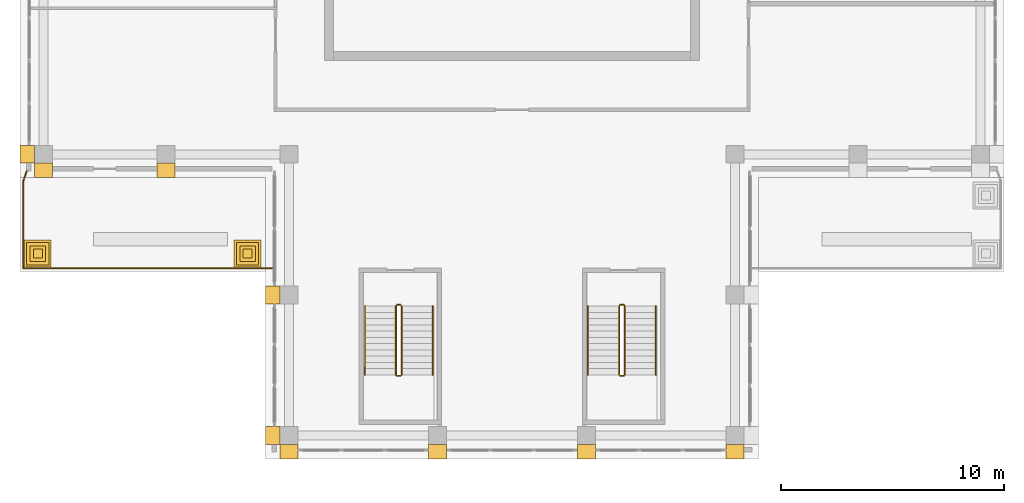
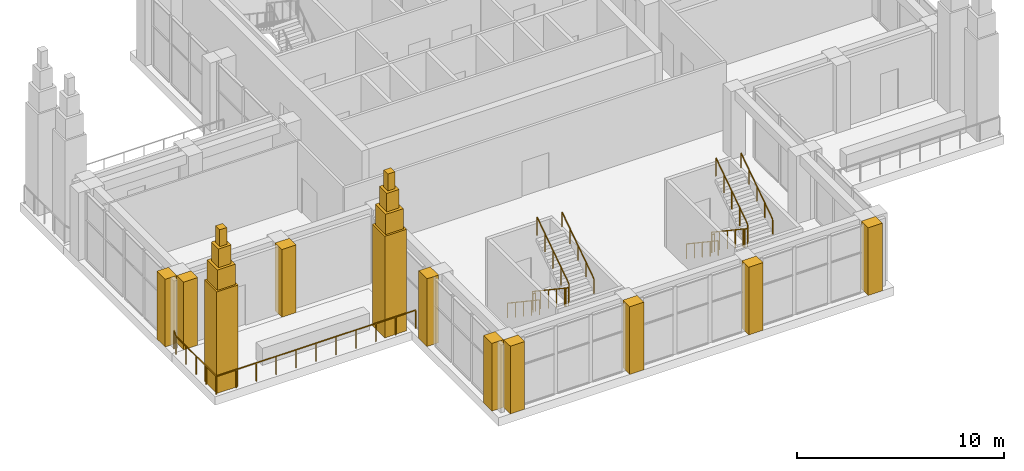
# One storey, part 11 of 14: 17 coverings, 13 railings.
"""IFC4 building model written with IfcOpenShell, lengths in metres."""

import ifcopenshell
import ifcopenshell.guid

model = None  # the IFC model being written
_history = None  # IfcOwnerHistory: only IFC2X3 demands one
_inside = {}  # id of a spatial element -> (the spatial element, [elements in it])
_under = {}  # id of a project, library or spatial element -> (it, [spatial elements below it])
_declared = {}  # id of a project -> (the project, [libraries it declares])
_typed = {}  # id of a type object -> (the type object, [elements of that type])
_made_of = {}  # id of a material, layer set ... -> (it, [elements and type objects made of it])


def new_model(schema):
    """Start an empty IFC model of exactly this schema.

    Asked for "IFC4X3", IfcOpenShell would pick the latest addendum, in which some entities
    have other attributes; the version numbers below select the first issue.
    IFC2X3 requires an IfcOwnerHistory on every rooted entity: one is made here for all.
    """
    global model, _history
    if schema == "IFC4X3":
        model = ifcopenshell.file(schema_version=(4, 3, 0, 0))
    else:
        model = ifcopenshell.file(schema=schema)
    _inside.clear()
    _under.clear()
    _declared.clear()
    _typed.clear()
    _made_of.clear()
    _history = None
    if model.schema == "IFC2X3":
        org = make("IfcOrganization", Name="unknown")
        user = make(
            "IfcPersonAndOrganization",
            ThePerson=make("IfcPerson", FamilyName="unknown"),
            TheOrganization=org,
        )
        app = make(
            "IfcApplication",
            ApplicationDeveloper=org,
            Version="unknown",
            ApplicationFullName="unknown",
            ApplicationIdentifier="unknown",
        )
        _history = make(
            "IfcOwnerHistory",
            OwningUser=user,
            OwningApplication=app,
            ChangeAction="ADDED",
            CreationDate=0,
        )
    return model


def make(cls, **values):
    """One entity of the class cls with the attributes given. An attribute that is None is left unset."""
    return model.create_entity(
        cls, **{name: value for name, value in values.items() if value is not None}
    )


def rooted(cls, **values):
    """An entity with a GlobalId (a new one), such as an element, a storey or a relation."""
    return make(cls, GlobalId=ifcopenshell.guid.new(), OwnerHistory=_history, **values)


def si_unit(unit_type, name, prefix=None):
    """IfcSIUnit, for example si_unit("LENGTHUNIT", "METRE", prefix="MILLI")."""
    return make("IfcSIUnit", UnitType=unit_type, Prefix=prefix, Name=name)


def assignment(units):
    """IfcUnitAssignment: the units of a project."""
    return None if units is None else make("IfcUnitAssignment", Units=units)


def point(xyz):
    """IfcCartesianPoint."""
    return None if xyz is None else make("IfcCartesianPoint", Coordinates=xyz)


def direction(xyz):
    """IfcDirection."""
    return None if xyz is None else make("IfcDirection", DirectionRatios=xyz)


def frame(location, z_axis=None, x_axis=None):
    """IfcAxis2Placement3D, a coordinate frame: its origin and axes. An axis left out is left unset."""
    return make(
        "IfcAxis2Placement3D",
        Location=point(location),
        Axis=direction(z_axis),
        RefDirection=direction(x_axis),
    )


def frame_2d(location, x_axis=None):
    """IfcAxis2Placement2D, a coordinate frame in the plane: its origin and x axis."""
    return make(
        "IfcAxis2Placement2D", Location=point(location), RefDirection=direction(x_axis)
    )


def origin():
    """The frame at (0, 0, 0) with its axes left unset."""
    return frame((0.0, 0.0, 0.0))


def origin_2d():
    """The frame at (0, 0) in the plane with its x axis left unset."""
    return frame_2d((0.0, 0.0))


def place(relative_to, where):
    """IfcLocalPlacement: puts the frame where relative to a parent placement (None: the world)."""
    return make(
        "IfcLocalPlacement", PlacementRelTo=relative_to, RelativePlacement=where
    )


def context(
    kind, dimensions, precision=None, world=None, true_north=None, identifier=None
):
    """IfcGeometricRepresentationContext, for example the 3D "Model" context."""
    return make(
        "IfcGeometricRepresentationContext",
        ContextIdentifier=identifier,
        ContextType=kind,
        CoordinateSpaceDimension=dimensions,
        Precision=precision,
        WorldCoordinateSystem=world,
        TrueNorth=true_north,
    )


def subcontext(parent, identifier, kind, view, scale=None):
    """IfcGeometricRepresentationSubContext, for example "Body" below "Model"."""
    return make(
        "IfcGeometricRepresentationSubContext",
        ContextIdentifier=identifier,
        ContextType=kind,
        ParentContext=parent,
        TargetScale=scale,
        TargetView=view,
    )


def project(units=None, contexts=None):
    """IfcProject with its units and contexts."""
    return rooted(
        "IfcProject",
        Name="project",
        RepresentationContexts=contexts,
        UnitsInContext=assignment(units),
    )


def spatial(cls, under=None, at=None, **own):
    """A site, building, storey or space (cls), placed at a placement, below another one or the project."""
    s = rooted(cls, ObjectPlacement=at, **own)
    if under is not None:
        _under.setdefault(under.id(), (under, []))[1].append(s)
    return s


def polyline(points):
    """IfcPolyline through the points."""
    return make("IfcPolyline", Points=[point(p) for p in points])


def profile(cls, at=None, kind="AREA", **sizes):
    """A parametric profile (cls). Its sizes go by their IFC names, for example OverallWidth=200.0."""
    return make(cls, ProfileType=kind, Position=at, **sizes)


def rectangle(**sizes):
    """IfcRectangleProfileDef."""
    return profile("IfcRectangleProfileDef", **sizes)


def outline(outer, holes=None, kind="AREA"):
    """IfcArbitraryClosedProfileDef: a profile drawn as a closed curve; with holes, ...WithVoids."""
    if holes is None:
        return make("IfcArbitraryClosedProfileDef", ProfileType=kind, OuterCurve=outer)
    return make(
        "IfcArbitraryProfileDefWithVoids",
        ProfileType=kind,
        OuterCurve=outer,
        InnerCurves=holes,
    )


def extrude(swept, where, along, depth):
    """IfcExtrudedAreaSolid: the profile swept, set in the frame where, extruded along a direction by depth."""
    return make(
        "IfcExtrudedAreaSolid",
        SweptArea=swept,
        Position=where,
        ExtrudedDirection=direction(along),
        Depth=depth,
    )


def shape(context_of_items, identifier, shape_type, items):
    """IfcShapeRepresentation: the items that make up one representation, for example the "Body"."""
    return make(
        "IfcShapeRepresentation",
        ContextOfItems=context_of_items,
        RepresentationIdentifier=identifier,
        RepresentationType=shape_type,
        Items=items,
    )


def material(Name=None, Category=None):
    """IfcMaterial."""
    return make("IfcMaterial", Name=Name, Category=Category)


def made_of(thing, what):
    """Note that an element or type object is made of a material, layer set ...; save() writes the relation."""
    if what is not None:
        _made_of.setdefault(what.id(), (what, []))[1].append(thing)
    return thing


def type_object(cls, material=None, **own):
    """A type object (cls), such as IfcWallType, which elements share."""
    return made_of(rooted(cls, **own), material)


def element(
    cls,
    number,
    at=None,
    inside=None,
    cuts=None,
    type_object=None,
    material=None,
    context=None,
    identifier="Body",
    shape_type=None,
    held_by="IfcProductDefinitionShape",
    body=None,
    shapes=None,
    **own,
):
    """One element of the class cls, such as IfcWall. Its Tag is "e" and its number.

    at: its placement. inside: the storey or other place that contains it. cuts: it is an
    opening in that element (IfcRelVoidsElement). A single representation is given by context,
    identifier, shape_type and body (its items); several are given by shapes. held_by: the class
    of the entity that holds the representations. save() writes the other relations.
    """
    e = rooted(cls, Tag="e%d" % number, ObjectPlacement=at, **own)
    if body is not None:
        shapes = [shape(context, identifier, shape_type, body)]
    if shapes is not None:
        e.Representation = make(held_by, Representations=shapes)
    if inside is not None:
        _inside.setdefault(inside.id(), (inside, []))[1].append(e)
    if cuts is not None:
        rooted(
            "IfcRelVoidsElement", RelatingBuildingElement=cuts, RelatedOpeningElement=e
        )
    if type_object is not None:
        _typed.setdefault(type_object.id(), (type_object, []))[1].append(e)
    return made_of(e, material)


def aggregate(whole, parts):
    """IfcRelAggregates: a whole, such as a stair, and the parts it consists of."""
    return rooted("IfcRelAggregates", RelatingObject=whole, RelatedObjects=parts)


def save(model, path):
    """Write the relations noted so far, then the file.

    IfcRelAggregates (storeys below a building ...), IfcRelContainedInSpatialStructure (elements
    in a storey), IfcRelDefinesByType, IfcRelAssociatesMaterial and IfcRelDeclares: one each for
    every whole, place, type object, material and project.
    """
    for whole, parts in _under.values():
        aggregate(whole, parts)
    for where, things in _inside.values():
        rooted(
            "IfcRelContainedInSpatialStructure",
            RelatedElements=things,
            RelatingStructure=where,
        )
    for kind, things in _typed.values():
        rooted("IfcRelDefinesByType", RelatedObjects=things, RelatingType=kind)
    for what, things in _made_of.values():
        rooted("IfcRelAssociatesMaterial", RelatedObjects=things, RelatingMaterial=what)
    for by, libraries in _declared.values():
        rooted("IfcRelDeclares", RelatingContext=by, RelatedDefinitions=libraries)
    model.write(path)


model = new_model("IFC4")

# Units and contexts
model_context = context("Model", 3, precision=1e-05, world=origin(), true_north=direction((0.0, 1.0)))
body_context = subcontext(model_context, "Body", "Model", "MODEL_VIEW")
ifc_project = project(units=[si_unit("LENGTHUNIT", "METRE"), si_unit("AREAUNIT", "SQUARE_METRE"), si_unit("VOLUMEUNIT", "CUBIC_METRE"), si_unit("PLANEANGLEUNIT", "RADIAN"), si_unit("MASSUNIT", "GRAM", prefix="KILO")], contexts=[model_context])

# Site, building, storey
site_placement = place(None, origin())
site = spatial("IfcSite", under=ifc_project, at=site_placement, CompositionType="ELEMENT")
building_placement = place(site_placement, origin())
building = spatial("IfcBuilding", under=site, at=building_placement, Name="Vermilion Ogive Tower", CompositionType="ELEMENT")
storey_placement = place(building_placement, frame((0.0, 0.0, 284.85009765625)))
storey = spatial("IfcBuildingStorey", under=building, at=storey_placement, Name="L74", CompositionType="ELEMENT", Elevation=284.85009765625)

# Railings
ifc_material_1 = material(Name="Steel S355 painted", Category="steel")
railing_type_1 = type_object("IfcRailingType", Name="Stair guard 1100", PredefinedType="GUARDRAIL", material=ifc_material_1)
railing_1_placement = place(storey_placement, frame((4.800048828125, -6.800048828125, 0.1875)))
element("IfcRailing", 1, at=railing_1_placement, inside=storey, type_object=railing_type_1, Name="L74 ST6 stair guard 1", PredefinedType="GUARDRAIL", context=body_context, shape_type="SweptSolid", body=[
    extrude(rectangle(XDim=0.048095703125, YDim=0.048095703125, at=origin_2d()), frame((0.0, 0.0, 1.076171875), z_axis=(0.0, -0.830893310487, 0.556431762742), x_axis=(1.0, 0.0, 0.0)), (0.0, 0.0, 1.0), 3.70654296875),
    extrude(rectangle(XDim=0.048095703125, YDim=0.048095703125, at=origin_2d()), frame((0.0, -3.079833984375, 3.138671875), z_axis=(0.707106781187, -0.707106781187, 0.0), x_axis=(0.707106781187, 0.707106781187, 0.0)), (0.0, 0.0, 1.0), 0.07080078125),
    extrude(rectangle(XDim=0.048095703125, YDim=0.048095703125, at=origin_2d()), frame((0.050048828125, -3.1298828125, 3.138671875), z_axis=(1.0, 0.0, 0.0), x_axis=(0.0, 1.0, 0.0)), (0.0, 0.0, 1.0), 0.14990234375),
    extrude(rectangle(XDim=0.0419921875, YDim=0.0419921875, at=origin_2d()), origin(), (0.0, 0.0, 1.0), 1.052001953125),
    extrude(rectangle(XDim=0.0419921875, YDim=0.0419921875, at=origin_2d()), frame((0.0, -0.77001953125, 0.515625)), (0.0, 0.0, 1.0), 1.052001953125),
    extrude(rectangle(XDim=0.0419921875, YDim=0.0419921875, at=origin_2d()), frame((0.0, -1.5400390625, 1.03125)), (0.0, 0.0, 1.0), 1.052001953125),
    extrude(rectangle(XDim=0.0419921875, YDim=0.0419921875, at=origin_2d()), frame((0.0, -2.309814453125, 1.546875)), (0.0, 0.0, 1.0), 1.052001953125),
    extrude(rectangle(XDim=0.0419921875, YDim=0.0419921875, at=origin_2d()), frame((0.0, -3.079833984375, 2.0625)), (0.0, 0.0, 1.0), 1.052001953125),
    extrude(rectangle(XDim=0.0419921875, YDim=0.0419921875, at=origin_2d()), frame((0.050048828125, -3.1298828125, 2.0625)), (0.0, 0.0, 1.0), 1.052001953125),
    extrude(rectangle(XDim=0.0419921875, YDim=0.0419921875, at=origin_2d()), frame((0.199951171875, -3.1298828125, 2.0625)), (0.0, 0.0, 1.0), 1.052001953125),
])
railing_2_placement = place(storey_placement, frame((5.050048828125, -9.8798828125, 2.4375)))
element("IfcRailing", 2, at=railing_2_placement, inside=storey, type_object=railing_type_1, Name="L74 ST6 stair guard 3", PredefinedType="GUARDRAIL", context=body_context, shape_type="SweptSolid", body=[
    extrude(rectangle(XDim=0.048095703125, YDim=0.048095703125, at=origin_2d()), frame((0.0, 0.0, 1.076171875), z_axis=(0.0, 0.830893310487, 0.556431762742), x_axis=(-1.0, 0.0, 0.0)), (0.0, 0.0, 1.0), 3.70654296875),
    extrude(rectangle(XDim=0.0419921875, YDim=0.0419921875, at=origin_2d()), origin(), (0.0, 0.0, 1.0), 1.052001953125),
    extrude(rectangle(XDim=0.0419921875, YDim=0.0419921875, at=origin_2d()), frame((0.0, 0.77001953125, 0.515625)), (0.0, 0.0, 1.0), 1.052001953125),
    extrude(rectangle(XDim=0.0419921875, YDim=0.0419921875, at=origin_2d()), frame((0.0, 1.5400390625, 1.03125)), (0.0, 0.0, 1.0), 1.052001953125),
    extrude(rectangle(XDim=0.0419921875, YDim=0.0419921875, at=origin_2d()), frame((0.0, 2.309814453125, 1.546875)), (0.0, 0.0, 1.0), 1.052001953125),
    extrude(rectangle(XDim=0.0419921875, YDim=0.0419921875, at=origin_2d()), frame((0.0, 3.079833984375, 2.0625)), (0.0, 0.0, 1.0), 1.052001953125),
])
railing_3_placement = place(storey_placement, frame((4.85009765625, -6.75, 0.0)))
element("IfcRailing", 3, at=railing_3_placement, inside=storey, type_object=railing_type_1, Name="L74 ST6 stair guard 4", PredefinedType="GUARDRAIL", context=body_context, shape_type="SweptSolid", body=[
    extrude(rectangle(XDim=0.048095703125, YDim=0.048095703125, at=origin_2d()), frame((0.0, 0.0, 1.076171875), z_axis=(1.0, 0.0, 0.0), x_axis=(0.0, 1.0, 0.0)), (0.0, 0.0, 1.0), 0.14990234375),
    extrude(rectangle(XDim=0.0419921875, YDim=0.0419921875, at=origin_2d()), origin(), (0.0, 0.0, 1.0), 1.052001953125),
    extrude(rectangle(XDim=0.0419921875, YDim=0.0419921875, at=origin_2d()), frame((0.14990234375, 0.0, 0.0)), (0.0, 0.0, 1.0), 1.052001953125),
])
railing_4_placement = place(storey_placement, frame((-5.199951171875, -6.800048828125, 0.1875)))
element("IfcRailing", 4, at=railing_4_placement, inside=storey, type_object=railing_type_1, Name="L74 ST7 stair guard 1", PredefinedType="GUARDRAIL", context=body_context, shape_type="SweptSolid", body=[
    extrude(rectangle(XDim=0.048095703125, YDim=0.048095703125, at=origin_2d()), frame((0.0, 0.0, 1.076171875), z_axis=(0.0, -0.830893310487, 0.556431762742), x_axis=(1.0, 0.0, 0.0)), (0.0, 0.0, 1.0), 3.70654296875),
    extrude(rectangle(XDim=0.048095703125, YDim=0.048095703125, at=origin_2d()), frame((0.0, -3.079833984375, 3.138671875), z_axis=(0.707106781187, -0.707106781187, 0.0), x_axis=(0.707106781187, 0.707106781187, 0.0)), (0.0, 0.0, 1.0), 0.07080078125),
    extrude(rectangle(XDim=0.048095703125, YDim=0.048095703125, at=origin_2d()), frame((0.050048828125, -3.1298828125, 3.138671875), z_axis=(1.0, 0.0, 0.0), x_axis=(0.0, 1.0, 0.0)), (0.0, 0.0, 1.0), 0.14990234375),
    extrude(rectangle(XDim=0.0419921875, YDim=0.0419921875, at=origin_2d()), origin(), (0.0, 0.0, 1.0), 1.052001953125),
    extrude(rectangle(XDim=0.0419921875, YDim=0.0419921875, at=origin_2d()), frame((0.0, -0.77001953125, 0.515625)), (0.0, 0.0, 1.0), 1.052001953125),
    extrude(rectangle(XDim=0.0419921875, YDim=0.0419921875, at=origin_2d()), frame((0.0, -1.5400390625, 1.03125)), (0.0, 0.0, 1.0), 1.052001953125),
    extrude(rectangle(XDim=0.0419921875, YDim=0.0419921875, at=origin_2d()), frame((0.0, -2.309814453125, 1.546875)), (0.0, 0.0, 1.0), 1.052001953125),
    extrude(rectangle(XDim=0.0419921875, YDim=0.0419921875, at=origin_2d()), frame((0.0, -3.079833984375, 2.0625)), (0.0, 0.0, 1.0), 1.052001953125),
    extrude(rectangle(XDim=0.0419921875, YDim=0.0419921875, at=origin_2d()), frame((0.050048828125, -3.1298828125, 2.0625)), (0.0, 0.0, 1.0), 1.052001953125),
    extrude(rectangle(XDim=0.0419921875, YDim=0.0419921875, at=origin_2d()), frame((0.199951171875, -3.1298828125, 2.0625)), (0.0, 0.0, 1.0), 1.052001953125),
])
railing_5_placement = place(storey_placement, frame((-4.949951171875, -9.8798828125, 2.4375)))
element("IfcRailing", 5, at=railing_5_placement, inside=storey, type_object=railing_type_1, Name="L74 ST7 stair guard 3", PredefinedType="GUARDRAIL", context=body_context, shape_type="SweptSolid", body=[
    extrude(rectangle(XDim=0.048095703125, YDim=0.048095703125, at=origin_2d()), frame((0.0, 0.0, 1.076171875), z_axis=(0.0, 0.830893310487, 0.556431762742), x_axis=(-1.0, 0.0, 0.0)), (0.0, 0.0, 1.0), 3.70654296875),
    extrude(rectangle(XDim=0.0419921875, YDim=0.0419921875, at=origin_2d()), origin(), (0.0, 0.0, 1.0), 1.052001953125),
    extrude(rectangle(XDim=0.0419921875, YDim=0.0419921875, at=origin_2d()), frame((0.0, 0.77001953125, 0.515625)), (0.0, 0.0, 1.0), 1.052001953125),
    extrude(rectangle(XDim=0.0419921875, YDim=0.0419921875, at=origin_2d()), frame((0.0, 1.5400390625, 1.03125)), (0.0, 0.0, 1.0), 1.052001953125),
    extrude(rectangle(XDim=0.0419921875, YDim=0.0419921875, at=origin_2d()), frame((0.0, 2.309814453125, 1.546875)), (0.0, 0.0, 1.0), 1.052001953125),
    extrude(rectangle(XDim=0.0419921875, YDim=0.0419921875, at=origin_2d()), frame((0.0, 3.079833984375, 2.0625)), (0.0, 0.0, 1.0), 1.052001953125),
])
railing_6_placement = place(storey_placement, frame((-5.14990234375, -6.75, 0.0)))
element("IfcRailing", 6, at=railing_6_placement, inside=storey, type_object=railing_type_1, Name="L74 ST7 stair guard 4", PredefinedType="GUARDRAIL", context=body_context, shape_type="SweptSolid", body=[
    extrude(rectangle(XDim=0.048095703125, YDim=0.048095703125, at=origin_2d()), frame((0.0, 0.0, 1.076171875), z_axis=(1.0, 0.0, 0.0), x_axis=(0.0, 1.0, 0.0)), (0.0, 0.0, 1.0), 0.14990234375),
    extrude(rectangle(XDim=0.0419921875, YDim=0.0419921875, at=origin_2d()), origin(), (0.0, 0.0, 1.0), 1.052001953125),
    extrude(rectangle(XDim=0.0419921875, YDim=0.0419921875, at=origin_2d()), frame((0.14990234375, 0.0, 0.0)), (0.0, 0.0, 1.0), 1.052001953125),
])
ifc_material_2 = material(Name="Stainless steel", Category="steel")
railing_type_2 = type_object("IfcRailingType", Name="Stair handrail 900", PredefinedType="HANDRAIL", material=ifc_material_2)
railing_7_placement = place(storey_placement, frame((3.39990234375, -6.800048828125, 0.1875)))
element("IfcRailing", 7, at=railing_7_placement, inside=storey, type_object=railing_type_2, Name="L74 ST6 stair handrail 1", PredefinedType="HANDRAIL", context=body_context, shape_type="SweptSolid", body=[
    extrude(rectangle(XDim=0.048095703125, YDim=0.048095703125, at=origin_2d()), frame((0.0, 0.0, 0.8759765625), z_axis=(0.0, -0.830893310487, 0.556431762742), x_axis=(1.0, 0.0, 0.0)), (0.0, 0.0, 1.0), 3.70654296875),
    extrude(rectangle(XDim=0.0419921875, YDim=0.0419921875, at=origin_2d()), origin(), (0.0, 0.0, 1.0), 0.851806640625),
    extrude(rectangle(XDim=0.0419921875, YDim=0.0419921875, at=origin_2d()), frame((0.0, -0.77001953125, 0.515625)), (0.0, 0.0, 1.0), 0.851806640625),
    extrude(rectangle(XDim=0.0419921875, YDim=0.0419921875, at=origin_2d()), frame((0.0, -1.5400390625, 1.03125)), (0.0, 0.0, 1.0), 0.851806640625),
    extrude(rectangle(XDim=0.0419921875, YDim=0.0419921875, at=origin_2d()), frame((0.0, -2.309814453125, 1.546875)), (0.0, 0.0, 1.0), 0.851806640625),
    extrude(rectangle(XDim=0.0419921875, YDim=0.0419921875, at=origin_2d()), frame((0.0, -3.079833984375, 2.0625)), (0.0, 0.0, 1.0), 0.851806640625),
])
railing_8_placement = place(storey_placement, frame((6.449951171875, -9.8798828125, 2.4375)))
element("IfcRailing", 8, at=railing_8_placement, inside=storey, type_object=railing_type_2, Name="L74 ST6 stair handrail 2", PredefinedType="HANDRAIL", context=body_context, shape_type="SweptSolid", body=[
    extrude(rectangle(XDim=0.048095703125, YDim=0.048095703125, at=origin_2d()), frame((0.0, 0.0, 0.8759765625), z_axis=(0.0, 0.830893310487, 0.556431762742), x_axis=(-1.0, 0.0, 0.0)), (0.0, 0.0, 1.0), 3.70654296875),
    extrude(rectangle(XDim=0.0419921875, YDim=0.0419921875, at=origin_2d()), origin(), (0.0, 0.0, 1.0), 0.851806640625),
    extrude(rectangle(XDim=0.0419921875, YDim=0.0419921875, at=origin_2d()), frame((0.0, 0.77001953125, 0.515625)), (0.0, 0.0, 1.0), 0.851806640625),
    extrude(rectangle(XDim=0.0419921875, YDim=0.0419921875, at=origin_2d()), frame((0.0, 1.5400390625, 1.03125)), (0.0, 0.0, 1.0), 0.851806640625),
    extrude(rectangle(XDim=0.0419921875, YDim=0.0419921875, at=origin_2d()), frame((0.0, 2.309814453125, 1.546875)), (0.0, 0.0, 1.0), 0.851806640625),
    extrude(rectangle(XDim=0.0419921875, YDim=0.0419921875, at=origin_2d()), frame((0.0, 3.079833984375, 2.0625)), (0.0, 0.0, 1.0), 0.851806640625),
])
railing_9_placement = place(storey_placement, frame((-6.60009765625, -6.800048828125, 0.1875)))
element("IfcRailing", 9, at=railing_9_placement, inside=storey, type_object=railing_type_2, Name="L74 ST7 stair handrail 1", PredefinedType="HANDRAIL", context=body_context, shape_type="SweptSolid", body=[
    extrude(rectangle(XDim=0.048095703125, YDim=0.048095703125, at=origin_2d()), frame((0.0, 0.0, 0.8759765625), z_axis=(0.0, -0.830893310487, 0.556431762742), x_axis=(1.0, 0.0, 0.0)), (0.0, 0.0, 1.0), 3.70654296875),
    extrude(rectangle(XDim=0.0419921875, YDim=0.0419921875, at=origin_2d()), origin(), (0.0, 0.0, 1.0), 0.851806640625),
    extrude(rectangle(XDim=0.0419921875, YDim=0.0419921875, at=origin_2d()), frame((0.0, -0.77001953125, 0.515625)), (0.0, 0.0, 1.0), 0.851806640625),
    extrude(rectangle(XDim=0.0419921875, YDim=0.0419921875, at=origin_2d()), frame((0.0, -1.5400390625, 1.03125)), (0.0, 0.0, 1.0), 0.851806640625),
    extrude(rectangle(XDim=0.0419921875, YDim=0.0419921875, at=origin_2d()), frame((0.0, -2.309814453125, 1.546875)), (0.0, 0.0, 1.0), 0.851806640625),
    extrude(rectangle(XDim=0.0419921875, YDim=0.0419921875, at=origin_2d()), frame((0.0, -3.079833984375, 2.0625)), (0.0, 0.0, 1.0), 0.851806640625),
])
railing_10_placement = place(storey_placement, frame((-3.550048828125, -9.8798828125, 2.4375)))
element("IfcRailing", 10, at=railing_10_placement, inside=storey, type_object=railing_type_2, Name="L74 ST7 stair handrail 2", PredefinedType="HANDRAIL", context=body_context, shape_type="SweptSolid", body=[
    extrude(rectangle(XDim=0.048095703125, YDim=0.048095703125, at=origin_2d()), frame((0.0, 0.0, 0.8759765625), z_axis=(0.0, 0.830893310487, 0.556431762742), x_axis=(-1.0, 0.0, 0.0)), (0.0, 0.0, 1.0), 3.70654296875),
    extrude(rectangle(XDim=0.0419921875, YDim=0.0419921875, at=origin_2d()), origin(), (0.0, 0.0, 1.0), 0.851806640625),
    extrude(rectangle(XDim=0.0419921875, YDim=0.0419921875, at=origin_2d()), frame((0.0, 0.77001953125, 0.515625)), (0.0, 0.0, 1.0), 0.851806640625),
    extrude(rectangle(XDim=0.0419921875, YDim=0.0419921875, at=origin_2d()), frame((0.0, 1.5400390625, 1.03125)), (0.0, 0.0, 1.0), 0.851806640625),
    extrude(rectangle(XDim=0.0419921875, YDim=0.0419921875, at=origin_2d()), frame((0.0, 2.309814453125, 1.546875)), (0.0, 0.0, 1.0), 0.851806640625),
    extrude(rectangle(XDim=0.0419921875, YDim=0.0419921875, at=origin_2d()), frame((0.0, 3.079833984375, 2.0625)), (0.0, 0.0, 1.0), 0.851806640625),
])

# Coverings
ifc_material_3 = material(Name="Stone cladding", Category="masonry")
covering_type_1 = type_object("IfcCoveringType", Name="Stone pier", PredefinedType="CLADDING", material=ifc_material_3)
covering_1_placement = place(storey_placement, origin())
element("IfcCovering", 11, at=covering_1_placement, inside=storey, type_object=covering_type_1, Name="Stone pier P+0033-126", PredefinedType="CLADDING", context=body_context, shape_type="SweptSolid", body=[
    extrude(outline(polyline([(3.7333984375, -13.0), (3.7333984375, -13.64990234375), (2.933349609375, -13.64990234375), (2.933349609375, -13.0), (2.933349609375, -13.0), (3.7333984375, -13.0)])), origin(), (0.0, 0.0, 1.0), 4.0),
])
covering_2_placement = place(storey_placement, origin())
element("IfcCovering", 12, at=covering_2_placement, inside=storey, type_object=covering_type_1, Name="Stone pier P+0100-126S", PredefinedType="CLADDING", context=body_context, shape_type="SweptSolid", body=[
    extrude(outline(polyline([(10.39990234375, -13.64990234375), (9.60009765625, -13.64990234375), (9.60009765625, -13.0), (10.39990234375, -13.0), (10.39990234375, -13.64990234375)])), origin(), (0.0, 0.0, 1.0), 4.0),
])
covering_3_placement = place(storey_placement, origin())
element("IfcCovering", 13, at=covering_3_placement, inside=storey, type_object=covering_type_1, Name="Stone pier P-0033-126", PredefinedType="CLADDING", context=body_context, shape_type="SweptSolid", body=[
    extrude(outline(polyline([(-2.933349609375, -13.0), (-2.933349609375, -13.64990234375), (-3.7333984375, -13.64990234375), (-3.7333984375, -13.0), (-2.933349609375, -13.0), (-2.933349609375, -13.0)])), origin(), (0.0, 0.0, 1.0), 4.0),
])
covering_4_placement = place(storey_placement, origin())
element("IfcCovering", 14, at=covering_4_placement, inside=storey, type_object=covering_type_1, Name="Stone pier P-0100-063", PredefinedType="CLADDING", context=body_context, shape_type="SweptSolid", body=[
    extrude(outline(polyline([(-11.050048828125, -6.699951171875), (-11.050048828125, -5.89990234375), (-10.39990234375, -5.89990234375), (-10.39990234375, -6.699951171875), (-11.050048828125, -6.699951171875)])), origin(), (0.0, 0.0, 1.0), 4.0),
])
covering_5_placement = place(storey_placement, origin())
element("IfcCovering", 15, at=covering_5_placement, inside=storey, type_object=covering_type_1, Name="Stone pier P-0100-126S", PredefinedType="CLADDING", context=body_context, shape_type="SweptSolid", body=[
    extrude(outline(polyline([(-9.60009765625, -13.64990234375), (-10.39990234375, -13.64990234375), (-10.39990234375, -13.0), (-9.60009765625, -13.0), (-9.60009765625, -13.64990234375)])), origin(), (0.0, 0.0, 1.0), 4.0),
])
covering_6_placement = place(storey_placement, origin())
element("IfcCovering", 16, at=covering_6_placement, inside=storey, type_object=covering_type_1, Name="Stone pier P-0100-126X8", PredefinedType="CLADDING", context=body_context, shape_type="SweptSolid", body=[
    extrude(outline(polyline([(-11.050048828125, -12.199951171875), (-10.39990234375, -12.199951171875), (-10.39990234375, -13.0), (-11.050048828125, -13.0), (-11.050048828125, -12.199951171875)])), origin(), (0.0, 0.0, 1.0), 4.0),
])
covering_7_placement = place(storey_placement, origin())
element("IfcCovering", 17, at=covering_7_placement, inside=storey, type_object=covering_type_1, Name="Stone pier P-0155+000", PredefinedType="CLADDING", context=body_context, shape_type="SweptSolid", body=[
    extrude(outline(polyline([(-15.10009765625, -1.050048828125), (-15.89990234375, -1.050048828125), (-15.89990234375, -0.39990234375), (-15.10009765625, -0.39990234375), (-15.10009765625, -1.050048828125)])), origin(), (0.0, 0.0, 1.0), 4.0),
])
covering_8_placement = place(storey_placement, origin())
element("IfcCovering", 18, at=covering_8_placement, inside=storey, type_object=covering_type_1, Name="Stone pier P-0210+000W", PredefinedType="CLADDING", context=body_context, shape_type="SweptSolid", body=[
    extrude(outline(polyline([(-21.39990234375, -0.39990234375), (-21.39990234375, -0.39990234375), (-22.050048828125, -0.39990234375), (-22.050048828125, 0.39990234375), (-21.39990234375, 0.39990234375), (-21.39990234375, 0.39990234375), (-21.39990234375, -0.39990234375)])), origin(), (0.0, 0.0, 1.0), 4.0),
])
covering_9_placement = place(storey_placement, origin())
element("IfcCovering", 19, at=covering_9_placement, inside=storey, type_object=covering_type_1, Name="Stone pier P-0210+000X7", PredefinedType="CLADDING", context=body_context, shape_type="SweptSolid", body=[
    extrude(outline(polyline([(-21.39990234375, -1.050048828125), (-21.39990234375, -0.39990234375), (-21.39990234375, -0.39990234375), (-20.60009765625, -0.39990234375), (-20.60009765625, -1.050048828125), (-21.39990234375, -1.050048828125)])), origin(), (0.0, 0.0, 1.0), 4.0),
])
ifc_material_4 = material(Name="Stone cladding", Category="masonry")
covering_type_2 = type_object("IfcCoveringType", Name="Stone pinnacle", PredefinedType="CLADDING", material=ifc_material_4)
covering_10_placement = place(storey_placement, origin())
element("IfcCovering", 20, at=covering_10_placement, inside=storey, type_object=covering_type_2, Name="Stone pinnacle L741111A", PredefinedType="CLADDING", context=body_context, shape_type="SweptSolid", body=[
    extrude(outline(polyline([(-21.85009765625, -5.050048828125), (-20.64990234375, -5.050048828125), (-20.64990234375, -3.85009765625), (-21.85009765625, -3.85009765625), (-21.85009765625, -5.050048828125)])), origin(), (0.0, 0.0, 1.0), 6.0),
])
covering_11_placement = place(storey_placement, frame((0.0, 0.0, 6.0)))
element("IfcCovering", 21, at=covering_11_placement, inside=storey, type_object=covering_type_2, Name="Stone pinnacle L741111B", PredefinedType="CLADDING", context=body_context, shape_type="SweptSolid", body=[
    extrude(outline(polyline([(-21.75, -4.949951171875), (-20.75, -4.949951171875), (-20.75, -3.949951171875), (-21.75, -3.949951171875), (-21.75, -4.949951171875)])), origin(), (0.0, 0.0, 1.0), 1.199951171875),
])
covering_12_placement = place(storey_placement, frame((0.0, 0.0, 7.199951171875)))
element("IfcCovering", 22, at=covering_12_placement, inside=storey, type_object=covering_type_2, Name="Stone pinnacle L741111C", PredefinedType="CLADDING", context=body_context, shape_type="SweptSolid", body=[
    extrude(outline(polyline([(-21.60009765625, -4.800048828125), (-20.89990234375, -4.800048828125), (-20.89990234375, -4.10009765625), (-21.60009765625, -4.10009765625), (-21.60009765625, -4.800048828125)])), origin(), (0.0, 0.0, 1.0), 1.099853515625),
])
covering_13_placement = place(storey_placement, frame((0.0, 0.0, 8.2998046875)))
element("IfcCovering", 23, at=covering_13_placement, inside=storey, type_object=covering_type_2, Name="Stone pinnacle L741111D", PredefinedType="CLADDING", context=body_context, shape_type="SweptSolid", body=[
    extrude(outline(polyline([(-21.449951171875, -4.64990234375), (-21.050048828125, -4.64990234375), (-21.050048828125, -4.25), (-21.449951171875, -4.25), (-21.449951171875, -4.64990234375)])), origin(), (0.0, 0.0, 1.0), 1.0),
])
covering_14_placement = place(storey_placement, origin())
element("IfcCovering", 24, at=covering_14_placement, inside=storey, type_object=covering_type_2, Name="Stone pinnacle L741141A", PredefinedType="CLADDING", context=body_context, shape_type="SweptSolid", body=[
    extrude(outline(polyline([(-12.449951171875, -5.050048828125), (-11.25, -5.050048828125), (-11.25, -3.85009765625), (-12.449951171875, -3.85009765625), (-12.449951171875, -5.050048828125)])), origin(), (0.0, 0.0, 1.0), 6.0),
])
covering_15_placement = place(storey_placement, frame((0.0, 0.0, 6.0)))
element("IfcCovering", 25, at=covering_15_placement, inside=storey, type_object=covering_type_2, Name="Stone pinnacle L741141B", PredefinedType="CLADDING", context=body_context, shape_type="SweptSolid", body=[
    extrude(outline(polyline([(-12.35009765625, -4.949951171875), (-11.35009765625, -4.949951171875), (-11.35009765625, -3.949951171875), (-12.35009765625, -3.949951171875), (-12.35009765625, -4.949951171875)])), origin(), (0.0, 0.0, 1.0), 1.199951171875),
])
covering_16_placement = place(storey_placement, frame((0.0, 0.0, 7.199951171875)))
element("IfcCovering", 26, at=covering_16_placement, inside=storey, type_object=covering_type_2, Name="Stone pinnacle L741141C", PredefinedType="CLADDING", context=body_context, shape_type="SweptSolid", body=[
    extrude(outline(polyline([(-12.199951171875, -4.800048828125), (-11.5, -4.800048828125), (-11.5, -4.10009765625), (-12.199951171875, -4.10009765625), (-12.199951171875, -4.800048828125)])), origin(), (0.0, 0.0, 1.0), 1.099853515625),
])
covering_17_placement = place(storey_placement, frame((0.0, 0.0, 8.2998046875)))
element("IfcCovering", 27, at=covering_17_placement, inside=storey, type_object=covering_type_2, Name="Stone pinnacle L741141D", PredefinedType="CLADDING", context=body_context, shape_type="SweptSolid", body=[
    extrude(outline(polyline([(-12.050048828125, -4.64990234375), (-11.64990234375, -4.64990234375), (-11.64990234375, -4.25), (-12.050048828125, -4.25), (-12.050048828125, -4.64990234375)])), origin(), (0.0, 0.0, 1.0), 1.0),
])

# Railings
ifc_material_5 = material(Name="Stainless steel and glass", Category="steel")
railing_type_3 = type_object("IfcRailingType", Name="Terrace guard", PredefinedType="GUARDRAIL", material=ifc_material_5)
railing_11_placement = place(storey_placement, frame((-10.75, -5.10009765625, 0.0)))
element("IfcRailing", 28, at=railing_11_placement, inside=storey, type_object=railing_type_3, Name="Terrace guard 1.1", PredefinedType="GUARDRAIL", context=body_context, shape_type="SweptSolid", body=[
    extrude(rectangle(XDim=0.048095703125, YDim=0.048095703125, at=origin_2d()), frame((0.0, 0.0, 1.076171875), z_axis=(-1.0, 0.0, 0.0), x_axis=(0.0, -1.0, 0.0)), (0.0, 0.0, 1.0), 11.14990234375),
    extrude(rectangle(XDim=0.0419921875, YDim=0.0419921875, at=origin_2d()), origin(), (0.0, 0.0, 1.0), 1.052001953125),
    extrude(rectangle(XDim=0.0419921875, YDim=0.0419921875, at=origin_2d()), frame((-1.114990234375, 0.0, 0.0)), (0.0, 0.0, 1.0), 1.052001953125),
    extrude(rectangle(XDim=0.0419921875, YDim=0.0419921875, at=origin_2d()), frame((-2.22998046875, 0.0, 0.0)), (0.0, 0.0, 1.0), 1.052001953125),
    extrude(rectangle(XDim=0.0419921875, YDim=0.0419921875, at=origin_2d()), frame((-3.344970703125, 0.0, 0.0)), (0.0, 0.0, 1.0), 1.052001953125),
    extrude(rectangle(XDim=0.0419921875, YDim=0.0419921875, at=origin_2d()), frame((-4.4599609375, 0.0, 0.0)), (0.0, 0.0, 1.0), 1.052001953125),
    extrude(rectangle(XDim=0.0419921875, YDim=0.0419921875, at=origin_2d()), frame((-5.574951171875, 0.0, 0.0)), (0.0, 0.0, 1.0), 1.052001953125),
    extrude(rectangle(XDim=0.0419921875, YDim=0.0419921875, at=origin_2d()), frame((-6.68994140625, 0.0, 0.0)), (0.0, 0.0, 1.0), 1.052001953125),
    extrude(rectangle(XDim=0.0419921875, YDim=0.0419921875, at=origin_2d()), frame((-7.804931640625, 0.0, 0.0)), (0.0, 0.0, 1.0), 1.052001953125),
    extrude(rectangle(XDim=0.0419921875, YDim=0.0419921875, at=origin_2d()), frame((-8.919921875, 0.0, 0.0)), (0.0, 0.0, 1.0), 1.052001953125),
    extrude(rectangle(XDim=0.0419921875, YDim=0.0419921875, at=origin_2d()), frame((-10.034912109375, 0.0, 0.0)), (0.0, 0.0, 1.0), 1.052001953125),
    extrude(rectangle(XDim=0.0419921875, YDim=0.0419921875, at=origin_2d()), frame((-11.14990234375, 0.0, 0.0)), (0.0, 0.0, 1.0), 1.052001953125),
])
railing_12_placement = place(storey_placement, frame((-21.89990234375, -5.10009765625, 0.0)))
element("IfcRailing", 29, at=railing_12_placement, inside=storey, type_object=railing_type_3, Name="Terrace guard 1.1.2", PredefinedType="GUARDRAIL", context=body_context, shape_type="SweptSolid", body=[
    extrude(rectangle(XDim=0.048095703125, YDim=0.048095703125, at=origin_2d()), frame((0.0, 0.0, 1.076171875), z_axis=(0.0, 1.0, 0.0), x_axis=(-1.0, 0.0, 0.0)), (0.0, 0.0, 1.0), 3.900146484375),
    extrude(rectangle(XDim=0.0419921875, YDim=0.0419921875, at=origin_2d()), origin(), (0.0, 0.0, 1.0), 1.052001953125),
    extrude(rectangle(XDim=0.0419921875, YDim=0.0419921875, at=origin_2d()), frame((0.0, 0.97509765625, 0.0)), (0.0, 0.0, 1.0), 1.052001953125),
    extrude(rectangle(XDim=0.0419921875, YDim=0.0419921875, at=origin_2d()), frame((0.0, 1.9501953125, 0.0)), (0.0, 0.0, 1.0), 1.052001953125),
    extrude(rectangle(XDim=0.0419921875, YDim=0.0419921875, at=origin_2d()), frame((0.0, 2.925048828125, 0.0)), (0.0, 0.0, 1.0), 1.052001953125),
    extrude(rectangle(XDim=0.0419921875, YDim=0.0419921875, at=origin_2d()), frame((0.0, 3.900146484375, 0.0)), (0.0, 0.0, 1.0), 1.052001953125),
])
railing_13_placement = place(storey_placement, frame((-21.89990234375, -1.199951171875, 0.0)))
element("IfcRailing", 30, at=railing_13_placement, inside=storey, type_object=railing_type_3, Name="Terrace guard 1.1.3", PredefinedType="GUARDRAIL", context=body_context, shape_type="SweptSolid", body=[
    extrude(rectangle(XDim=0.048095703125, YDim=0.048095703125, at=origin_2d()), frame((0.0, 0.0, 1.076171875), z_axis=(0.316073328604, 0.948734763221, 0.0), x_axis=(-0.948734763221, 0.316073328604, 0.0)), (0.0, 0.0, 1.0), 0.474365234375),
    extrude(rectangle(XDim=0.0419921875, YDim=0.0419921875, at=origin_2d()), origin(), (0.0, 0.0, 1.0), 1.052001953125),
    extrude(rectangle(XDim=0.0419921875, YDim=0.0419921875, at=origin_2d()), frame((0.14990234375, 0.449951171875, 0.0)), (0.0, 0.0, 1.0), 1.052001953125),
])

save(model, "model.ifc")
